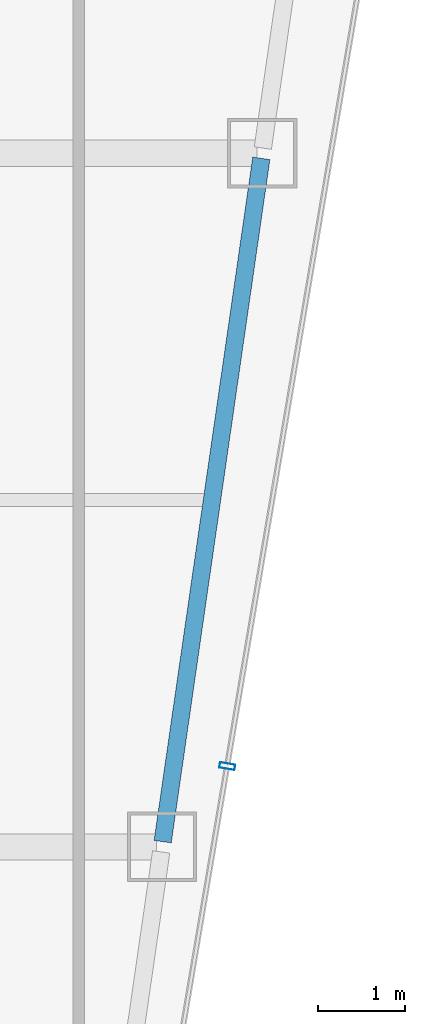
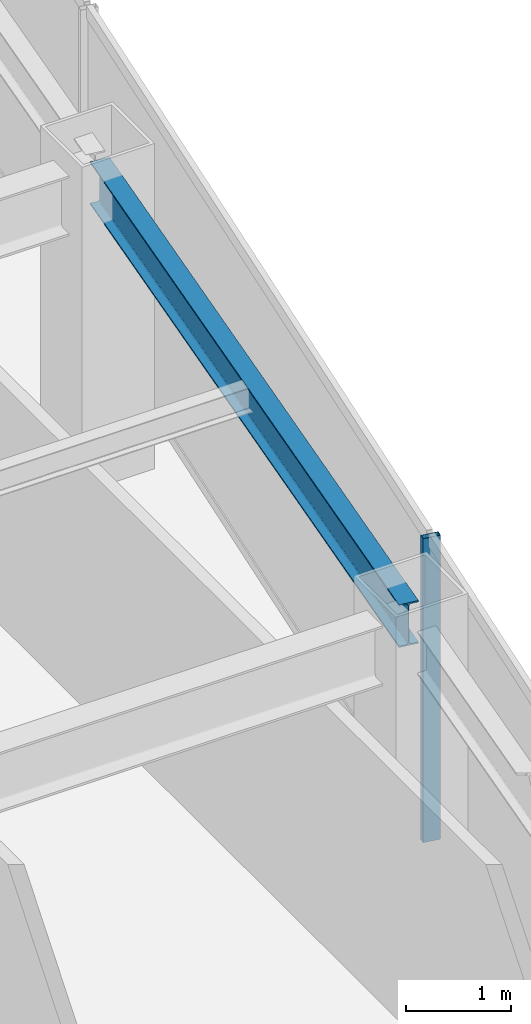
# One storey, part 20 of 36: 1 beam, 1 member, 1 element without a shape of its own.
"""IFC4 building model written with IfcOpenShell, lengths in metres."""

from ifc_helpers import new_model, si_unit, direction, frame, origin, origin_2d, place, context, subcontext, project, spatial, hollow_rectangle, i_section, extrude, material, material_profile, profile_set, type_object, element, aggregate, save


model = new_model("IFC4")

# Units and contexts
model_context = context("Model", 3, precision=1e-05, world=origin(), true_north=direction((0.0, 1.0)))
body_context = subcontext(model_context, "Body", "Model", "MODEL_VIEW")
ifc_project = project(units=[si_unit("LENGTHUNIT", "METRE"), si_unit("AREAUNIT", "SQUARE_METRE"), si_unit("VOLUMEUNIT", "CUBIC_METRE"), si_unit("PLANEANGLEUNIT", "RADIAN"), si_unit("MASSUNIT", "GRAM", prefix="KILO")], contexts=[model_context])

# Site, building, storey
site_placement = place(None, origin())
site = spatial("IfcSite", under=ifc_project, at=site_placement, CompositionType="ELEMENT")
building_placement = place(site_placement, origin())
building = spatial("IfcBuilding", under=site, at=building_placement, Name="Saevonmaru Cultural Tower", CompositionType="ELEMENT")
storey_placement = place(building_placement, frame((0.0, 0.0, 201.800048828125)))
storey = spatial("IfcBuildingStorey", under=building, at=storey_placement, Name="L46", CompositionType="ELEMENT", Elevation=201.800048828125)

# Beam
ifc_material_1 = material(Name="Steel SM355", Category="steel")
ifc_material_profile_1 = material_profile(ifc_material_1, i_section(OverallWidth=0.199951171875, OverallDepth=0.5, WebThickness=0.010009765625, FlangeThickness=0.01611328125, FilletRadius=0.02001953125, at=origin_2d()), Name="H-500x200x10x16")
ifc_profile_set_1 = profile_set([ifc_material_profile_1], Name="Steel SM355")
beam_type = type_object("IfcBeamType", Name="BM-SP-H500", PredefinedType="SPANDREL", material=ifc_profile_set_1)
beam_placement = place(storey_placement, frame((50.53662109375, 24.059326171875, 3.300048828125), z_axis=(0.142871999001, 0.989741174197, 0.0), x_axis=(-0.989741174197, 0.142871999001, 0.0)))
element("IfcBeam", 1, at=beam_placement, inside=storey, type_object=beam_type, Name="L46 East Splayed Spandrel 2", PredefinedType="SPANDREL", context=body_context, shape_type="SweptSolid", body=[
    extrude(i_section(OverallWidth=0.199951171875, OverallDepth=0.5, WebThickness=0.010009765625, FlangeThickness=0.01611328125, FilletRadius=0.02001953125, at=origin_2d()), origin(), (0.0, 0.0, 1.0), 7.963134765625),
])

# Curtain wall, member
ifc_material_2 = material(Name="Satin Bronze Anodised Aluminium", Category="aluminium")
curtain_wall_type = type_object("IfcCurtainWallType", Name="CW-TYP-B", PredefinedType="NOTDEFINED", material=ifc_material_2)
curtain_wall_placement = place(storey_placement, origin())
curtain_wall = element("IfcCurtainWall", 2, at=curtain_wall_placement, inside=storey, type_object=curtain_wall_type, Name="L46 Unitised Curtain Wall E8", PredefinedType="NOTDEFINED")
ifc_material_profile_2 = material_profile(ifc_material_2, hollow_rectangle(XDim=0.06494140625, YDim=0.179931640625, WallThickness=0.00390625, at=origin_2d()), Name="ALU-MULL-180x65x4")
ifc_profile_set_2 = profile_set([ifc_material_profile_2], Name="Satin Bronze Anodised Aluminium")
member_type = type_object("IfcMemberType", Name="ML-CW-180x65", PredefinedType="MULLION", material=ifc_profile_set_2)
member_placement = place(storey_placement, frame((51.28173828125, 24.9296875, 0.0), z_axis=(0.0, 0.0, 1.0), x_axis=(0.16692169721, 0.985970155228, 0.0)))
member = element("IfcMember", 3, at=member_placement, type_object=member_type, Name="CW-TW-L46-E8 mullion 2", PredefinedType="MULLION", context=body_context, shape_type="SweptSolid", body=[
    extrude(hollow_rectangle(XDim=0.06494140625, YDim=0.179931640625, WallThickness=0.00390625, at=origin_2d()), origin(), (0.0, 0.0, 1.0), 3.550048828125),
])
aggregate(curtain_wall, [member])

save(model, "model.ifc")
